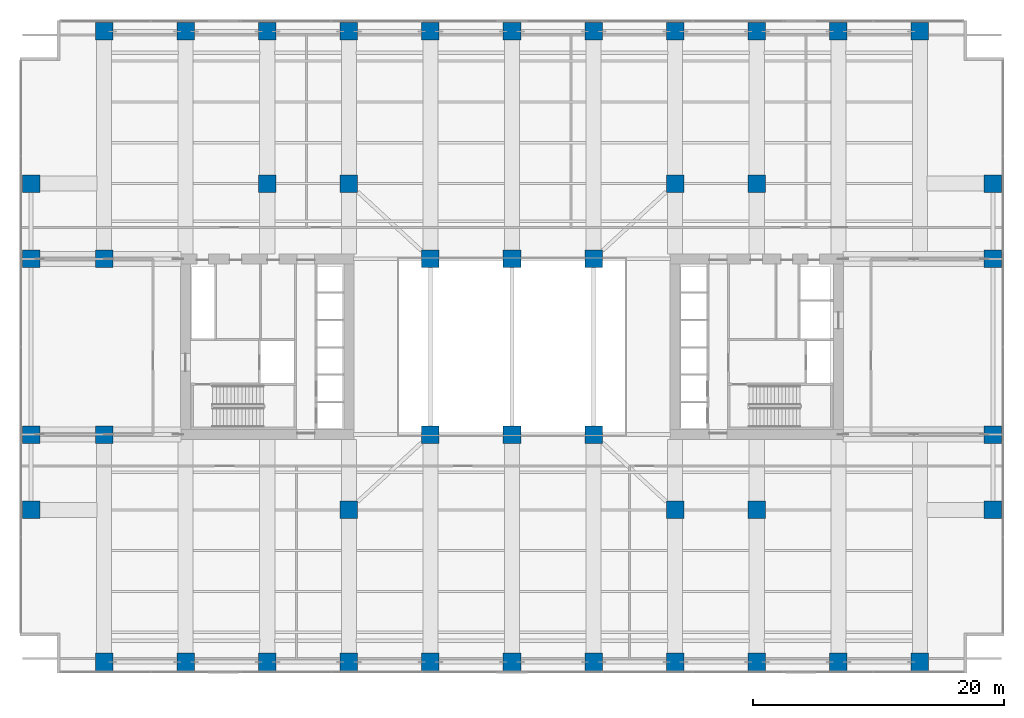
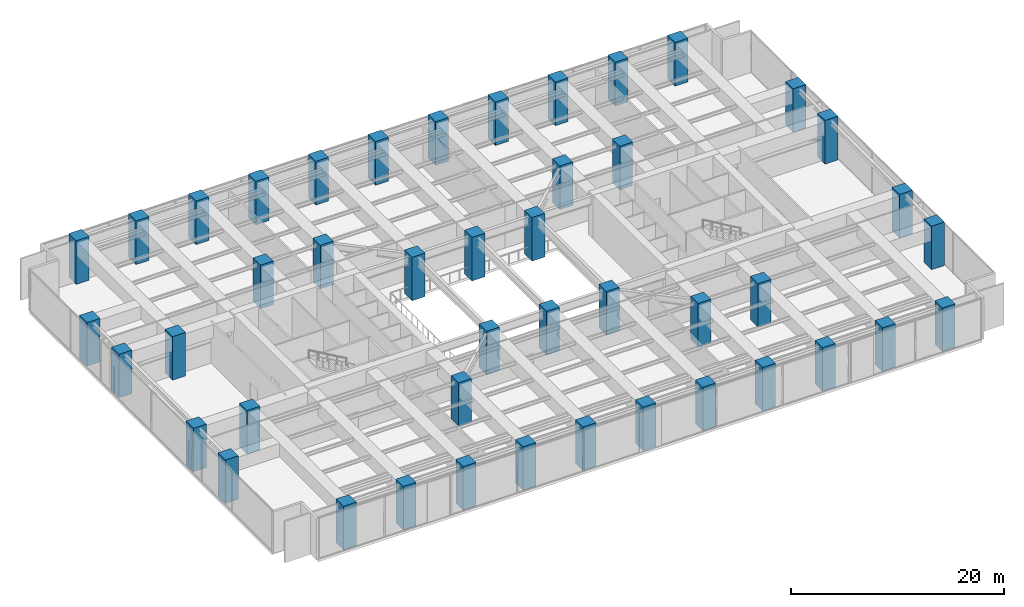
# One storey, part 1 of 31: 45 columns.
"""IFC4 building model written with IfcOpenShell, lengths in metres."""

from ifc_helpers import new_model, si_unit, direction, frame, origin, origin_2d, place, context, subcontext, project, spatial, rectangle, extrude, material, material_profile, profile_set, type_object, element, save


model = new_model("IFC4")

# Units and contexts
model_context = context("Model", 3, precision=1e-05, world=origin(), true_north=direction((0.0, 1.0)))
body_context = subcontext(model_context, "Body", "Model", "MODEL_VIEW")
ifc_project = project(units=[si_unit("LENGTHUNIT", "METRE"), si_unit("AREAUNIT", "SQUARE_METRE"), si_unit("VOLUMEUNIT", "CUBIC_METRE"), si_unit("PLANEANGLEUNIT", "RADIAN"), si_unit("MASSUNIT", "GRAM", prefix="KILO")], contexts=[model_context])

# Site, building, storey
site_placement = place(None, origin())
site = spatial("IfcSite", under=ifc_project, at=site_placement, CompositionType="ELEMENT")
building_placement = place(site_placement, origin())
building = spatial("IfcBuilding", under=site, at=building_placement, Name="Putna Gate Headquarters", CompositionType="ELEMENT")
storey_placement = place(building_placement, frame((0.0, 0.0, 81.0)))
storey = spatial("IfcBuildingStorey", under=building, at=storey_placement, Name="L19", CompositionType="ELEMENT", Elevation=81.0)

# Columns
ifc_material = material(Name="Concrete C60/75", Category="concrete")
ifc_material_profile_1 = material_profile(ifc_material, rectangle(XDim=1.39990234375, YDim=1.39990234375, at=origin_2d()), Name="Concrete C60/75")
ifc_profile_set_1 = profile_set([ifc_material_profile_1], Name="Concrete C60/75")
column_type_1 = type_object("IfcColumnType", Name="COL-RC1400-EXT", PredefinedType="COLUMN", material=ifc_profile_set_1)
for number, where, z_axis, x_axis, name in (
    (1, (6.5, 0.8798828125, 0.0), (0.0, 0.0, 1.0), (1.0, 0.0, 0.0), "L19 Column CP-S6"),
    (2, (6.5, 51.1201171875, 0.0), (0.0, 0.0, 1.0), (1.0, 0.0, 0.0), "L19 Column CP-N6"),
    (3, (13.0, 0.8798828125, 0.0), (0.0, 0.0, 1.0), (1.0, 0.0, 0.0), "L19 Column CP-S13"),
    (4, (13.0, 51.1201171875, 0.0), (0.0, 0.0, 1.0), (1.0, 0.0, 0.0), "L19 Column CP-N13"),
    (5, (19.5, 0.8798828125, 0.0), (0.0, 0.0, 1.0), (1.0, 0.0, 0.0), "L19 Column CP-S19"),
    (6, (19.5, 51.1201171875, 0.0), (0.0, 0.0, 1.0), (1.0, 0.0, 0.0), "L19 Column CP-N19"),
    (7, (26.0, 0.8798828125, 0.0), (0.0, 0.0, 1.0), (1.0, 0.0, 0.0), "L19 Column CP-S26"),
    (8, (26.0, 51.1201171875, 0.0), (0.0, 0.0, 1.0), (1.0, 0.0, 0.0), "L19 Column CP-N26"),
    (9, (32.5, 0.8798828125, 0.0), (0.0, 0.0, 1.0), (1.0, 0.0, 0.0), "L19 Column CP-S32"),
    (10, (32.5, 51.1201171875, 0.0), (0.0, 0.0, 1.0), (1.0, 0.0, 0.0), "L19 Column CP-N32"),
    (11, (39.0, 0.8798828125, 0.0), (0.0, 0.0, 1.0), (1.0, 0.0, 0.0), "L19 Column CP-S39"),
    (12, (39.0, 51.1201171875, 0.0), (0.0, 0.0, 1.0), (1.0, 0.0, 0.0), "L19 Column CP-N39"),
    (13, (45.5, 0.8798828125, 0.0), (0.0, 0.0, 1.0), (1.0, 0.0, 0.0), "L19 Column CP-S45"),
    (14, (45.5, 51.1201171875, 0.0), (0.0, 0.0, 1.0), (1.0, 0.0, 0.0), "L19 Column CP-N45"),
    (15, (52.0, 0.8798828125, 0.0), (0.0, 0.0, 1.0), (1.0, 0.0, 0.0), "L19 Column CP-S52"),
    (16, (52.0, 51.1201171875, 0.0), (0.0, 0.0, 1.0), (1.0, 0.0, 0.0), "L19 Column CP-N52"),
    (17, (58.5, 0.8798828125, 0.0), (0.0, 0.0, 1.0), (1.0, 0.0, 0.0), "L19 Column CP-S58"),
    (18, (58.5, 51.1201171875, 0.0), (0.0, 0.0, 1.0), (1.0, 0.0, 0.0), "L19 Column CP-N58"),
    (19, (65.0, 0.8798828125, 0.0), (0.0, 0.0, 1.0), (1.0, 0.0, 0.0), "L19 Column CP-S65"),
    (20, (65.0, 51.1201171875, 0.0), (0.0, 0.0, 1.0), (1.0, 0.0, 0.0), "L19 Column CP-N65"),
    (21, (71.5, 0.8798828125, 0.0), (0.0, 0.0, 1.0), (1.0, 0.0, 0.0), "L19 Column CP-S71"),
    (22, (71.5, 51.1201171875, 0.0), (0.0, 0.0, 1.0), (1.0, 0.0, 0.0), "L19 Column CP-N71"),
    (23, (0.679931640625, 13.0, 0.0), (0.0, 0.0, 1.0), (1.0, 0.0, 0.0), "L19 Column CP-W13"),
    (24, (77.320068359375, 13.0, 0.0), (0.0, 0.0, 1.0), (1.0, 0.0, 0.0), "L19 Column CP-E13"),
    (25, (0.679931640625, 19.0, 0.0), (0.0, 0.0, 1.0), (1.0, 0.0, 0.0), "L19 Column CP-W19"),
    (26, (77.320068359375, 19.0, 0.0), (0.0, 0.0, 1.0), (1.0, 0.0, 0.0), "L19 Column CP-E19"),
    (27, (0.679931640625, 33.0, 0.0), (0.0, 0.0, 1.0), (1.0, 0.0, 0.0), "L19 Column CP-W33"),
    (28, (77.320068359375, 33.0, 0.0), (0.0, 0.0, 1.0), (1.0, 0.0, 0.0), "L19 Column CP-E33"),
    (29, (0.679931640625, 39.0, 0.0), (0.0, 0.0, 1.0), (1.0, 0.0, 0.0), "L19 Column CP-W39"),
    (30, (77.320068359375, 39.0, 0.0), (0.0, 0.0, 1.0), (1.0, 0.0, 0.0), "L19 Column CP-E39"),
):
    element("IfcColumn", number, at=place(storey_placement, frame(where, z_axis=z_axis, x_axis=x_axis)), inside=storey, type_object=column_type_1, Name=name, PredefinedType="COLUMN", context=body_context, shape_type="SweptSolid", body=[
        extrude(rectangle(XDim=1.39990234375, YDim=1.39990234375, at=origin_2d()), origin(), (0.0, 0.0, 1.0), 5.0),
    ])
ifc_material_profile_2 = material_profile(ifc_material, rectangle(XDim=1.39990234375, YDim=1.39990234375, at=origin_2d()), Name="Concrete C60/75")
ifc_profile_set_2 = profile_set([ifc_material_profile_2], Name="Concrete C60/75")
column_type_2 = type_object("IfcColumnType", Name="COL-RC1400-INT", PredefinedType="COLUMN", material=ifc_profile_set_2)
for number, where, z_axis, x_axis, name in (
    (31, (19.5, 39.0, 0.0), (0.0, 0.0, 1.0), (1.0, 0.0, 0.0), "L19 Column CSI-WN"),
    (32, (58.5, 13.0, 0.0), (0.0, 0.0, 1.0), (1.0, 0.0, 0.0), "L19 Column CSI-ES"),
    (33, (58.5, 39.0, 0.0), (0.0, 0.0, 1.0), (1.0, 0.0, 0.0), "L19 Column CSI-EN"),
    (34, (6.5, 19.0, 0.0), (0.0, 0.0, 1.0), (1.0, 0.0, 0.0), "L19 Column CSI-WM"),
    (35, (6.5, 33.0, 0.0), (0.0, 0.0, 1.0), (1.0, 0.0, 0.0), "L19 Column CSI-WNW"),
    (36, (32.5, 19.0, 0.0), (0.0, 0.0, 1.0), (1.0, 0.0, 0.0), "L19 Column CAI-S32"),
    (37, (32.5, 33.0, 0.0), (0.0, 0.0, 1.0), (1.0, 0.0, 0.0), "L19 Column CAI-N32"),
    (38, (39.0, 19.0, 0.0), (0.0, 0.0, 1.0), (1.0, 0.0, 0.0), "L19 Column CAI-S39"),
    (39, (39.0, 33.0, 0.0), (0.0, 0.0, 1.0), (1.0, 0.0, 0.0), "L19 Column CAI-N39"),
    (40, (45.5, 19.0, 0.0), (0.0, 0.0, 1.0), (1.0, 0.0, 0.0), "L19 Column CAI-S45"),
    (41, (45.5, 33.0, 0.0), (0.0, 0.0, 1.0), (1.0, 0.0, 0.0), "L19 Column CAI-N45"),
    (42, (26.0, 13.0, 0.0), (0.0, 0.0, 1.0), (1.0, 0.0, 0.0), "L19 Column CAP-WS"),
    (43, (26.0, 39.0, 0.0), (0.0, 0.0, 1.0), (1.0, 0.0, 0.0), "L19 Column CAP-WN"),
    (44, (52.0, 13.0, 0.0), (0.0, 0.0, 1.0), (1.0, 0.0, 0.0), "L19 Column CAP-ES"),
    (45, (52.0, 39.0, 0.0), (0.0, 0.0, 1.0), (1.0, 0.0, 0.0), "L19 Column CAP-EN"),
):
    element("IfcColumn", number, at=place(storey_placement, frame(where, z_axis=z_axis, x_axis=x_axis)), inside=storey, type_object=column_type_2, Name=name, PredefinedType="COLUMN", context=body_context, shape_type="SweptSolid", body=[
        extrude(rectangle(XDim=1.39990234375, YDim=1.39990234375, at=origin_2d()), origin(), (0.0, 0.0, 1.0), 5.0),
    ])

save(model, "model.ifc")
